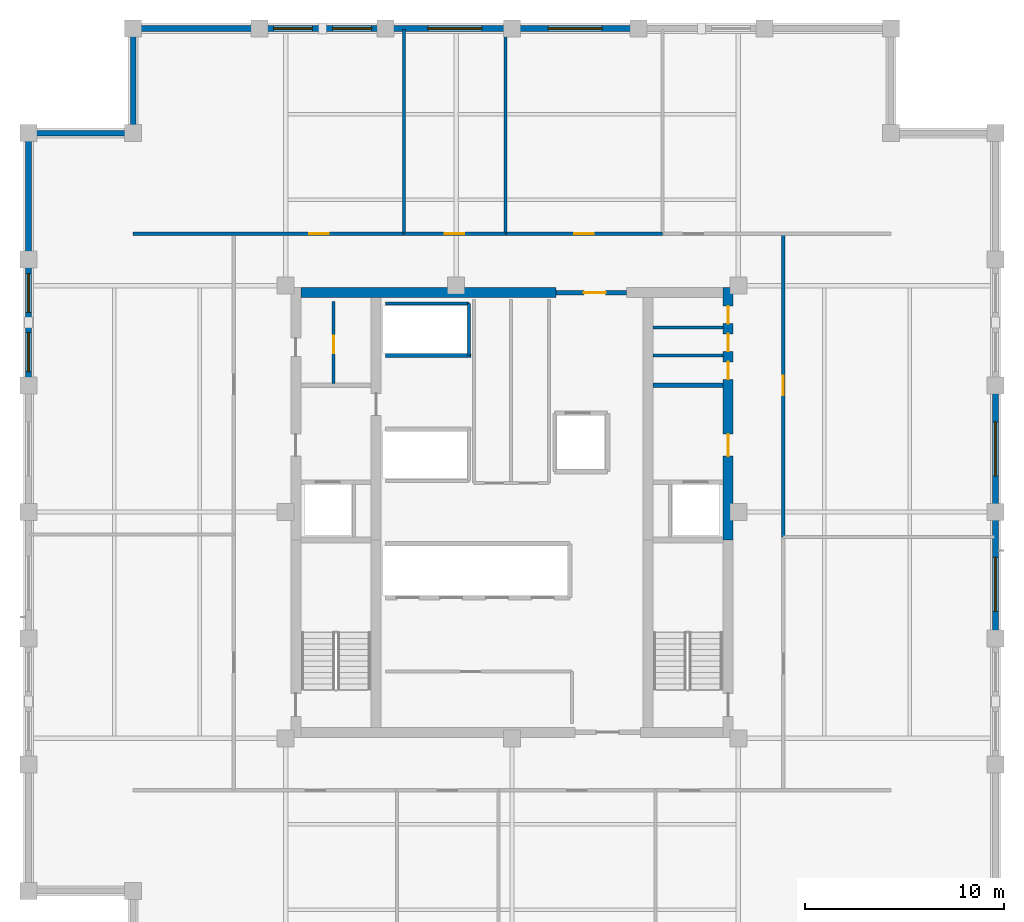
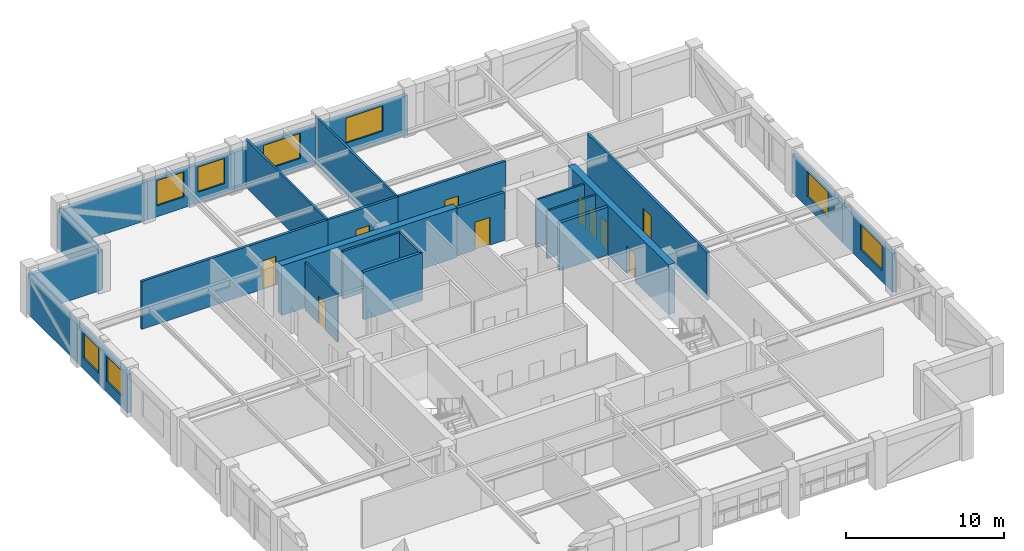
# One storey, part 11 of 13: 26 walls, 10 doors, 8 windows, 18 openings.
"""IFC4 building model written with IfcOpenShell, lengths in metres."""

from ifc_helpers import new_model, si_unit, direction, frame, frame_2d, origin, place, context, subcontext, project, spatial, rectangle, extrude, material, layer, layer_set, type_object, element, fill, save


model = new_model("IFC4")

# Units and contexts
model_context = context("Model", 3, precision=1e-05, world=origin(), true_north=direction((0.0, 1.0)))
body_context = subcontext(model_context, "Body", "Model", "MODEL_VIEW")
ifc_project = project(units=[si_unit("LENGTHUNIT", "METRE"), si_unit("AREAUNIT", "SQUARE_METRE"), si_unit("VOLUMEUNIT", "CUBIC_METRE"), si_unit("PLANEANGLEUNIT", "RADIAN"), si_unit("MASSUNIT", "GRAM", prefix="KILO")], contexts=[model_context])

# Site, building, storey
site_placement = place(None, origin())
site = spatial("IfcSite", under=ifc_project, at=site_placement, CompositionType="ELEMENT")
building_placement = place(site_placement, origin())
building = spatial("IfcBuilding", under=site, at=building_placement, Name="Nhamokura Convention Tower", CompositionType="ELEMENT")
storey_placement = place(building_placement, frame((0.0, 0.0, 206.14990234375)))
storey = spatial("IfcBuildingStorey", under=building, at=storey_placement, Name="L50", CompositionType="ELEMENT", Elevation=206.14990234375)

# Wall, opening, door
ifc_material_1 = material(Name="Moisture-resistant tile-backer partition", Category="masonry")
ifc_layer_1 = layer(ifc_material_1, 0.139892578125)
ifc_layer_set_1 = layer_set([ifc_layer_1], Name="BathroomWetWall_140")
wall_type_1 = type_object("IfcWallType", Name="BathroomWetWall_140", PredefinedType="STANDARD", material=ifc_layer_set_1)
wall_1_placement = place(storey_placement, frame((23.050048828125, 38.449951171875, 0.0), z_axis=(0.0, 0.0, 1.0), x_axis=(0.0, 1.0, 0.0)))
wall_1 = element("IfcWall", 1, at=wall_1_placement, inside=storey, type_object=wall_type_1, Name="L50 Wall INT-L50-CWNWV", PredefinedType="STANDARD", context=body_context, shape_type="SweptSolid", body=[
    extrude(rectangle(XDim=4.10009765625, YDim=0.139892578125, at=frame_2d((2.050048828125, 0.0))), origin(), (0.0, 0.0, 1.0), 3.68505859375),
])
opening_1_placement = place(wall_1_placement, frame((1.5, 0.0, 0.0)))
opening_1 = element("IfcOpeningElement", 2, at=opening_1_placement, cuts=wall_1, Name="Opening D-11", PredefinedType="OPENING", context=body_context, shape_type="SweptSolid", body=[
    extrude(rectangle(XDim=0.8798828125, YDim=2.10009765625, at=frame_2d((0.43994140625, 1.050048828125))), frame((0.0, 0.079833984375, 0.0), z_axis=(0.0, -1.0, 0.0), x_axis=(1.0, 0.0, 0.0)), (0.0, 0.0, 1.0), 0.159912109375),
])
ifc_material_2 = material(Name="Solid oak hardwood", Category="wood")
door_type_1 = type_object("IfcDoorType", Name="BathroomDoor_880", OperationType="NOTDEFINED", PredefinedType="DOOR", material=ifc_material_2)
door_1_placement = place(opening_1_placement, origin())
door_1 = element("IfcDoor", 3, at=door_1_placement, inside=storey, type_object=door_type_1, Name="L50 Inner Store Door", OperationType="SINGLE_SWING_LEFT", OverallHeight=2.10009765625, OverallWidth=0.8798828125, PredefinedType="DOOR", context=body_context, shape_type="SweptSolid", body=[
    extrude(rectangle(XDim=0.8798828125, YDim=2.10009765625, at=frame_2d((0.43994140625, 1.050048828125))), frame((0.0, 0.02490234375, 0.0), z_axis=(0.0, -1.0, 0.0), x_axis=(1.0, 0.0, 0.0)), (0.0, 0.0, 1.0), 0.050048828125),
])
fill(opening_1, door_1)

# Walls
for number, where, z_axis, x_axis, name in (
    (4, (39.06005859375, 39.85009765625, 0.0), (0.0, 0.0, 1.0), (1.0, 0.0, 0.0), "L50 Wall INT-L50-CWNE1"),
    (5, (39.06005859375, 41.25, 0.0), (0.0, 0.0, 1.0), (1.0, 0.0, 0.0), "L50 Wall INT-L50-CWNE2"),
):
    element("IfcWall", number, at=place(storey_placement, frame(where, z_axis=z_axis, x_axis=x_axis)), inside=storey, type_object=wall_type_1, Name=name, PredefinedType="STANDARD", context=body_context, shape_type="SweptSolid", body=[
        extrude(rectangle(XDim=3.530029296875, YDim=0.139892578125, at=frame_2d((1.76513671875, 0.0))), origin(), (0.0, 0.0, 1.0), 3.68505859375),
    ])
ifc_material_3 = material(Name="Bronze-pigmented precast concrete C45/55", Category="concrete")
ifc_layer_2 = layer(ifc_material_3, 0.280029296875)
ifc_layer_set_2 = layer_set([ifc_layer_2], Name="BronzePrecastSpandrel_280")
wall_type_2 = type_object("IfcWallType", Name="BronzePrecastSpandrel_280", PredefinedType="USERDEFINED", material=ifc_layer_set_2)
wall_2_placement = place(storey_placement, frame((13.0, 56.25, 0.0), z_axis=(0.0, 0.0, 1.0), x_axis=(1.0, 0.0, 0.0)))
element("IfcWall", 6, at=wall_2_placement, inside=storey, type_object=wall_type_2, Name="L50 Braced-Bay Precast Wall NORTH 0", ObjectType="SPANDREL_WALL", PredefinedType="USERDEFINED", context=body_context, shape_type="SweptSolid", body=[
    extrude(rectangle(XDim=6.333251953125, YDim=0.280029296875, at=frame_2d((3.16650390625, 0.0))), origin(), (0.0, 0.0, 1.0), 2.985107421875),
])

# Wall, openings, windows
wall_3_placement = place(storey_placement, frame((19.333251953125, 56.25, 0.0), z_axis=(0.0, 0.0, 1.0), x_axis=(1.0, 0.0, 0.0)))
wall_3 = element("IfcWall", 7, at=wall_3_placement, inside=storey, type_object=wall_type_2, Name="L50 Masonry-Frame Wall NORTH 1", ObjectType="SPANDREL_WALL", PredefinedType="USERDEFINED", context=body_context, shape_type="SweptSolid", body=[
    extrude(rectangle(XDim=6.33349609375, YDim=0.280029296875, at=frame_2d((3.166748046875, 0.0))), origin(), (0.0, 0.0, 1.0), 2.985107421875),
])
opening_2_placement = place(wall_3_placement, frame((0.708251953125, 0.0, 0.85009765625)))
opening_2 = element("IfcOpeningElement", 8, at=opening_2_placement, cuts=wall_3, Name="Opening W-08", PredefinedType="OPENING", context=body_context, shape_type="SweptSolid", body=[
    extrude(rectangle(XDim=1.949951171875, YDim=1.93505859375, at=frame_2d((0.97509765625, 0.967529296875))), frame((0.0, 0.14990234375, 0.0), z_axis=(0.0, -1.0, 0.0), x_axis=(1.0, 0.0, 0.0)), (0.0, 0.0, 1.0), 0.300048828125),
])
opening_3_placement = place(wall_3_placement, frame((3.675048828125, 0.0, 0.85009765625)))
opening_3 = element("IfcOpeningElement", 9, at=opening_3_placement, cuts=wall_3, Name="Opening W-08", PredefinedType="OPENING", context=body_context, shape_type="SweptSolid", body=[
    extrude(rectangle(XDim=1.949951171875, YDim=1.93505859375, at=frame_2d((0.97509765625, 0.967529296875))), frame((0.0, 0.14990234375, 0.0), z_axis=(0.0, -1.0, 0.0), x_axis=(1.0, 0.0, 0.0)), (0.0, 0.0, 1.0), 0.300048828125),
])
ifc_material_4 = material(Name="Solar-control bronze low-E double glass", Category="glass")
window_type_1 = type_object("IfcWindowType", Name="OfficeModuleWindow_Z3_1950", PartitioningType="SINGLE_PANEL", PredefinedType="WINDOW", material=ifc_material_4)
window_1_placement = place(opening_2_placement, origin())
window_1 = element("IfcWindow", 10, at=window_1_placement, inside=storey, type_object=window_type_1, Name="L50 Facade Window NORTH 1-1", OverallHeight=1.93505859375, OverallWidth=1.949951171875, PartitioningType="SINGLE_PANEL", PredefinedType="WINDOW", context=body_context, shape_type="SweptSolid", body=[
    extrude(rectangle(XDim=1.949951171875, YDim=1.93505859375, at=frame_2d((0.97509765625, 0.967529296875))), frame((0.0, 0.030029296875, 0.0), z_axis=(0.0, -1.0, 0.0), x_axis=(1.0, 0.0, 0.0)), (0.0, 0.0, 1.0), 0.06005859375),
])
fill(opening_2, window_1)
window_2_placement = place(opening_3_placement, origin())
window_2 = element("IfcWindow", 11, at=window_2_placement, inside=storey, type_object=window_type_1, Name="L50 Facade Window NORTH 1-2", OverallHeight=1.93505859375, OverallWidth=1.949951171875, PartitioningType="SINGLE_PANEL", PredefinedType="WINDOW", context=body_context, shape_type="SweptSolid", body=[
    extrude(rectangle(XDim=1.949951171875, YDim=1.93505859375, at=frame_2d((0.97509765625, 0.967529296875))), frame((0.0, 0.030029296875, 0.0), z_axis=(0.0, -1.0, 0.0), x_axis=(1.0, 0.0, 0.0)), (0.0, 0.0, 1.0), 0.06005859375),
])
fill(opening_3, window_2)

# Wall, opening, window
wall_4_placement = place(storey_placement, frame((25.666748046875, 56.25, 0.0), z_axis=(0.0, 0.0, 1.0), x_axis=(1.0, 0.0, 0.0)))
wall_4 = element("IfcWall", 12, at=wall_4_placement, inside=storey, type_object=wall_type_2, Name="L50 Masonry-Frame Wall NORTH 2", ObjectType="SPANDREL_WALL", PredefinedType="USERDEFINED", context=body_context, shape_type="SweptSolid", body=[
    extrude(rectangle(XDim=6.333251953125, YDim=0.280029296875, at=frame_2d((3.16650390625, 0.0))), origin(), (0.0, 0.0, 1.0), 2.985107421875),
])
opening_4_placement = place(wall_4_placement, frame((2.11669921875, 0.0, 0.85009765625)))
opening_4 = element("IfcOpeningElement", 13, at=opening_4_placement, cuts=wall_4, Name="Opening W-07", PredefinedType="OPENING", context=body_context, shape_type="SweptSolid", body=[
    extrude(rectangle(XDim=2.699951171875, YDim=1.93505859375, at=frame_2d((1.35009765625, 0.967529296875))), frame((0.0, 0.14990234375, 0.0), z_axis=(0.0, -1.0, 0.0), x_axis=(1.0, 0.0, 0.0)), (0.0, 0.0, 1.0), 0.300048828125),
])
ifc_material_5 = material(Name="Solar-control bronze low-E double glass", Category="glass")
window_type_2 = type_object("IfcWindowType", Name="OfficeModuleWindow_Z3_2700", PartitioningType="DOUBLE_PANEL_VERTICAL", PredefinedType="WINDOW", material=ifc_material_5)
window_3_placement = place(opening_4_placement, origin())
window_3 = element("IfcWindow", 14, at=window_3_placement, inside=storey, type_object=window_type_2, Name="L50 Facade Window NORTH 2", OverallHeight=1.93505859375, OverallWidth=2.699951171875, PartitioningType="SINGLE_PANEL", PredefinedType="WINDOW", context=body_context, shape_type="SweptSolid", body=[
    extrude(rectangle(XDim=2.699951171875, YDim=1.93505859375, at=frame_2d((1.35009765625, 0.967529296875))), frame((0.0, 0.030029296875, 0.0), z_axis=(0.0, -1.0, 0.0), x_axis=(1.0, 0.0, 0.0)), (0.0, 0.0, 1.0), 0.06005859375),
])
fill(opening_4, window_3)

wall_5_placement = place(storey_placement, frame((32.0, 56.25, 0.0), z_axis=(0.0, 0.0, 1.0), x_axis=(1.0, 0.0, 0.0)))
wall_5 = element("IfcWall", 15, at=wall_5_placement, inside=storey, type_object=wall_type_2, Name="L50 Masonry-Frame Wall NORTH 3", ObjectType="SPANDREL_WALL", PredefinedType="USERDEFINED", context=body_context, shape_type="SweptSolid", body=[
    extrude(rectangle(XDim=6.333251953125, YDim=0.280029296875, at=frame_2d((3.16650390625, 0.0))), origin(), (0.0, 0.0, 1.0), 2.985107421875),
])
opening_5_placement = place(wall_5_placement, frame((1.816650390625, 0.0, 0.85009765625)))
opening_5 = element("IfcOpeningElement", 16, at=opening_5_placement, cuts=wall_5, Name="Opening W-07", PredefinedType="OPENING", context=body_context, shape_type="SweptSolid", body=[
    extrude(rectangle(XDim=2.699951171875, YDim=1.93505859375, at=frame_2d((1.35009765625, 0.967529296875))), frame((0.0, 0.14990234375, 0.0), z_axis=(0.0, -1.0, 0.0), x_axis=(1.0, 0.0, 0.0)), (0.0, 0.0, 1.0), 0.300048828125),
])
window_4_placement = place(opening_5_placement, origin())
window_4 = element("IfcWindow", 17, at=window_4_placement, inside=storey, type_object=window_type_2, Name="L50 Facade Window NORTH 3", OverallHeight=1.93505859375, OverallWidth=2.699951171875, PartitioningType="SINGLE_PANEL", PredefinedType="WINDOW", context=body_context, shape_type="SweptSolid", body=[
    extrude(rectangle(XDim=2.699951171875, YDim=1.93505859375, at=frame_2d((1.35009765625, 0.967529296875))), frame((0.0, 0.030029296875, 0.0), z_axis=(0.0, -1.0, 0.0), x_axis=(1.0, 0.0, 0.0)), (0.0, 0.0, 1.0), 0.06005859375),
])
fill(opening_5, window_4)

# Wall, openings, windows
wall_6_placement = place(storey_placement, frame((7.75, 38.333251953125, 0.0), z_axis=(0.0, 0.0, 1.0), x_axis=(0.0, 1.0, 0.0)))
wall_6 = element("IfcWall", 18, at=wall_6_placement, inside=storey, type_object=wall_type_2, Name="L50 Masonry-Frame Wall WEST 4", ObjectType="SPANDREL_WALL", PredefinedType="USERDEFINED", context=body_context, shape_type="SweptSolid", body=[
    extrude(rectangle(XDim=6.33349609375, YDim=0.280029296875, at=frame_2d((3.166748046875, 0.0))), origin(), (0.0, 0.0, 1.0), 2.985107421875),
])
opening_6_placement = place(wall_6_placement, frame((0.708251953125, 0.0, 0.85009765625)))
opening_6 = element("IfcOpeningElement", 19, at=opening_6_placement, cuts=wall_6, Name="Opening W-08", PredefinedType="OPENING", context=body_context, shape_type="SweptSolid", body=[
    extrude(rectangle(XDim=1.949951171875, YDim=1.93505859375, at=frame_2d((0.97509765625, 0.967529296875))), frame((0.0, 0.14990234375, 0.0), z_axis=(0.0, -1.0, 0.0), x_axis=(1.0, 0.0, 0.0)), (0.0, 0.0, 1.0), 0.300048828125),
])
opening_7_placement = place(wall_6_placement, frame((3.675048828125, 0.0, 0.85009765625)))
opening_7 = element("IfcOpeningElement", 20, at=opening_7_placement, cuts=wall_6, Name="Opening W-08", PredefinedType="OPENING", context=body_context, shape_type="SweptSolid", body=[
    extrude(rectangle(XDim=1.949951171875, YDim=1.93505859375, at=frame_2d((0.97509765625, 0.967529296875))), frame((0.0, 0.14990234375, 0.0), z_axis=(0.0, -1.0, 0.0), x_axis=(1.0, 0.0, 0.0)), (0.0, 0.0, 1.0), 0.300048828125),
])
window_5_placement = place(opening_6_placement, origin())
window_5 = element("IfcWindow", 21, at=window_5_placement, inside=storey, type_object=window_type_1, Name="L50 Facade Window WEST 4-1", OverallHeight=1.93505859375, OverallWidth=1.949951171875, PartitioningType="SINGLE_PANEL", PredefinedType="WINDOW", context=body_context, shape_type="SweptSolid", body=[
    extrude(rectangle(XDim=1.949951171875, YDim=1.93505859375, at=frame_2d((0.97509765625, 0.967529296875))), frame((0.0, 0.030029296875, 0.0), z_axis=(0.0, -1.0, 0.0), x_axis=(1.0, 0.0, 0.0)), (0.0, 0.0, 1.0), 0.06005859375),
])
fill(opening_6, window_5)
window_6_placement = place(opening_7_placement, origin())
window_6 = element("IfcWindow", 22, at=window_6_placement, inside=storey, type_object=window_type_1, Name="L50 Facade Window WEST 4-2", OverallHeight=1.93505859375, OverallWidth=1.949951171875, PartitioningType="SINGLE_PANEL", PredefinedType="WINDOW", context=body_context, shape_type="SweptSolid", body=[
    extrude(rectangle(XDim=1.949951171875, YDim=1.93505859375, at=frame_2d((0.97509765625, 0.967529296875))), frame((0.0, 0.030029296875, 0.0), z_axis=(0.0, -1.0, 0.0), x_axis=(1.0, 0.0, 0.0)), (0.0, 0.0, 1.0), 0.06005859375),
])
fill(opening_7, window_6)

# Wall
wall_7_placement = place(storey_placement, frame((7.75, 44.666748046875, 0.0), z_axis=(0.0, 0.0, 1.0), x_axis=(0.0, 1.0, 0.0)))
element("IfcWall", 23, at=wall_7_placement, inside=storey, type_object=wall_type_2, Name="L50 Braced-Bay Precast Wall WEST 5", ObjectType="SPANDREL_WALL", PredefinedType="USERDEFINED", context=body_context, shape_type="SweptSolid", body=[
    extrude(rectangle(XDim=6.333251953125, YDim=0.280029296875, at=frame_2d((3.16650390625, 0.0))), origin(), (0.0, 0.0, 1.0), 2.985107421875),
])

# Wall, opening, window
wall_8_placement = place(storey_placement, frame((56.25, 32.0, 0.0), z_axis=(0.0, 0.0, 1.0), x_axis=(0.0, -1.0, 0.0)))
wall_8 = element("IfcWall", 24, at=wall_8_placement, inside=storey, type_object=wall_type_2, Name="L50 Masonry-Frame Wall EAST 2", ObjectType="SPANDREL_WALL", PredefinedType="USERDEFINED", context=body_context, shape_type="SweptSolid", body=[
    extrude(rectangle(XDim=6.333251953125, YDim=0.280029296875, at=frame_2d((3.16650390625, 0.0))), origin(), (0.0, 0.0, 1.0), 2.985107421875),
])
opening_8_placement = place(wall_8_placement, frame((2.279296875, 0.0, 0.85009765625)))
opening_8 = element("IfcOpeningElement", 25, at=opening_8_placement, cuts=wall_8, Name="Opening W-07", PredefinedType="OPENING", context=body_context, shape_type="SweptSolid", body=[
    extrude(rectangle(XDim=2.699951171875, YDim=1.93505859375, at=frame_2d((1.35009765625, 0.967529296875))), frame((0.0, 0.14990234375, 0.0), z_axis=(0.0, -1.0, 0.0), x_axis=(1.0, 0.0, 0.0)), (0.0, 0.0, 1.0), 0.300048828125),
])
window_7_placement = place(opening_8_placement, origin())
window_7 = element("IfcWindow", 26, at=window_7_placement, inside=storey, type_object=window_type_2, Name="L50 Facade Window EAST 2-2", OverallHeight=1.93505859375, OverallWidth=2.699951171875, PartitioningType="SINGLE_PANEL", PredefinedType="WINDOW", context=body_context, shape_type="SweptSolid", body=[
    extrude(rectangle(XDim=2.699951171875, YDim=1.93505859375, at=frame_2d((1.35009765625, 0.967529296875))), frame((0.0, 0.030029296875, 0.0), z_axis=(0.0, -1.0, 0.0), x_axis=(1.0, 0.0, 0.0)), (0.0, 0.0, 1.0), 0.06005859375),
])
fill(opening_8, window_7)

wall_9_placement = place(storey_placement, frame((56.25, 38.333251953125, 0.0), z_axis=(0.0, 0.0, 1.0), x_axis=(0.0, -1.0, 0.0)))
wall_9 = element("IfcWall", 27, at=wall_9_placement, inside=storey, type_object=wall_type_2, Name="L50 Masonry-Frame Wall EAST 3", ObjectType="SPANDREL_WALL", PredefinedType="USERDEFINED", context=body_context, shape_type="SweptSolid", body=[
    extrude(rectangle(XDim=6.333251953125, YDim=0.280029296875, at=frame_2d((3.16650390625, 0.0))), origin(), (0.0, 0.0, 1.0), 2.985107421875),
])
opening_9_placement = place(wall_9_placement, frame((1.816650390625, 0.0, 0.85009765625)))
opening_9 = element("IfcOpeningElement", 28, at=opening_9_placement, cuts=wall_9, Name="Opening W-07", PredefinedType="OPENING", context=body_context, shape_type="SweptSolid", body=[
    extrude(rectangle(XDim=2.699951171875, YDim=1.93505859375, at=frame_2d((1.35009765625, 0.967529296875))), frame((0.0, 0.14990234375, 0.0), z_axis=(0.0, -1.0, 0.0), x_axis=(1.0, 0.0, 0.0)), (0.0, 0.0, 1.0), 0.300048828125),
])
window_8_placement = place(opening_9_placement, origin())
window_8 = element("IfcWindow", 29, at=window_8_placement, inside=storey, type_object=window_type_2, Name="L50 Facade Window EAST 3", OverallHeight=1.93505859375, OverallWidth=2.699951171875, PartitioningType="SINGLE_PANEL", PredefinedType="WINDOW", context=body_context, shape_type="SweptSolid", body=[
    extrude(rectangle(XDim=2.699951171875, YDim=1.93505859375, at=frame_2d((1.35009765625, 0.967529296875))), frame((0.0, 0.030029296875, 0.0), z_axis=(0.0, -1.0, 0.0), x_axis=(1.0, 0.0, 0.0)), (0.0, 0.0, 1.0), 0.06005859375),
])
fill(opening_9, window_8)

# Walls
for number, where, z_axis, x_axis, name in (
    (30, (13.0, 51.0, 0.0), (0.0, 0.0, 1.0), (0.0, 1.0, 0.0), "L50 Notched Corner Wall NW1"),
    (31, (7.75, 51.0, 0.0), (0.0, 0.0, 1.0), (1.0, 0.0, 0.0), "L50 Notched Corner Wall NW2"),
):
    element("IfcWall", number, at=place(storey_placement, frame(where, z_axis=z_axis, x_axis=x_axis)), inside=storey, type_object=wall_type_2, Name=name, ObjectType="SPANDREL_WALL", PredefinedType="USERDEFINED", context=body_context, shape_type="SweptSolid", body=[
        extrude(rectangle(XDim=5.25, YDim=0.280029296875, at=frame_2d((2.625, 0.0))), origin(), (0.0, 0.0, 1.0), 2.985107421875),
    ])

# Wall, openings, doors
ifc_material_6 = material(Name="Concrete C60/75", Category="concrete")
ifc_layer_3 = layer(ifc_material_6, 0.5)
ifc_layer_set_3 = layer_set([ifc_layer_3], Name="CoreShearWall_500")
wall_type_3 = type_object("IfcWallType", Name="CoreShearWall_500", PredefinedType="SHEAR", material=ifc_layer_set_3)
wall_10_placement = place(storey_placement, frame((42.840087890625, 30.60009765625, 0.0), z_axis=(0.0, 0.0, 1.0), x_axis=(0.0, 1.0, 0.0)))
wall_10 = element("IfcWall", 32, at=wall_10_placement, inside=storey, type_object=wall_type_3, Name="L50 Core Shear Wall CW-EN", PredefinedType="SHEAR", context=body_context, shape_type="SweptSolid", body=[
    extrude(rectangle(XDim=12.64990234375, YDim=0.5, at=frame_2d((6.324951171875, 0.0))), origin(), (0.0, 0.0, 1.0), 3.85009765625),
])
opening_10_placement = place(wall_10_placement, frame((4.199951171875, 0.0, 0.0)))
opening_10 = element("IfcOpeningElement", 33, at=opening_10_placement, cuts=wall_10, Name="Opening D-05", PredefinedType="OPENING", context=body_context, shape_type="SweptSolid", body=[
    extrude(rectangle(XDim=1.10009765625, YDim=2.14990234375, at=frame_2d((0.550048828125, 1.074951171875))), frame((0.0, 0.260009765625, 0.0), z_axis=(0.0, -1.0, 0.0), x_axis=(1.0, 0.0, 0.0)), (0.0, 0.0, 1.0), 0.52001953125),
])
opening_11_placement = place(wall_10_placement, frame((8.050048828125, 0.0, 0.0)))
opening_11 = element("IfcOpeningElement", 34, at=opening_11_placement, cuts=wall_10, Name="Opening D-11", PredefinedType="OPENING", context=body_context, shape_type="SweptSolid", body=[
    extrude(rectangle(XDim=0.8798828125, YDim=2.10009765625, at=frame_2d((0.43994140625, 1.050048828125))), frame((0.0, 0.260009765625, 0.0), z_axis=(0.0, -1.0, 0.0), x_axis=(1.0, 0.0, 0.0)), (0.0, 0.0, 1.0), 0.52001953125),
])
opening_12_placement = place(wall_10_placement, frame((9.449951171875, 0.0, 0.0)))
opening_12 = element("IfcOpeningElement", 35, at=opening_12_placement, cuts=wall_10, Name="Opening D-11", PredefinedType="OPENING", context=body_context, shape_type="SweptSolid", body=[
    extrude(rectangle(XDim=0.8798828125, YDim=2.10009765625, at=frame_2d((0.43994140625, 1.050048828125))), frame((0.0, 0.260009765625, 0.0), z_axis=(0.0, -1.0, 0.0), x_axis=(1.0, 0.0, 0.0)), (0.0, 0.0, 1.0), 0.52001953125),
])
opening_13_placement = place(wall_10_placement, frame((10.85009765625, 0.0, 0.0)))
opening_13 = element("IfcOpeningElement", 36, at=opening_13_placement, cuts=wall_10, Name="Opening D-11", PredefinedType="OPENING", context=body_context, shape_type="SweptSolid", body=[
    extrude(rectangle(XDim=0.8798828125, YDim=2.10009765625, at=frame_2d((0.43994140625, 1.050048828125))), frame((0.0, 0.260009765625, 0.0), z_axis=(0.0, -1.0, 0.0), x_axis=(1.0, 0.0, 0.0)), (0.0, 0.0, 1.0), 0.52001953125),
])
door_2_placement = place(opening_11_placement, origin())
door_2 = element("IfcDoor", 37, at=door_2_placement, inside=storey, type_object=door_type_1, Name="L50 Core Door INT-L50-D-MWC", OperationType="SINGLE_SWING_LEFT", OverallHeight=2.10009765625, OverallWidth=0.8798828125, PredefinedType="DOOR", context=body_context, shape_type="SweptSolid", body=[
    extrude(rectangle(XDim=0.8798828125, YDim=2.10009765625, at=frame_2d((0.43994140625, 1.050048828125))), frame((0.0, 0.02490234375, 0.0), z_axis=(0.0, -1.0, 0.0), x_axis=(1.0, 0.0, 0.0)), (0.0, 0.0, 1.0), 0.050048828125),
])
fill(opening_11, door_2)
door_3_placement = place(opening_12_placement, origin())
door_3 = element("IfcDoor", 38, at=door_3_placement, inside=storey, type_object=door_type_1, Name="L50 Core Door INT-L50-D-FWC", OperationType="SINGLE_SWING_RIGHT", OverallHeight=2.10009765625, OverallWidth=0.8798828125, PredefinedType="DOOR", context=body_context, shape_type="SweptSolid", body=[
    extrude(rectangle(XDim=0.8798828125, YDim=2.10009765625, at=frame_2d((0.43994140625, 1.050048828125))), frame((0.0, 0.02490234375, 0.0), z_axis=(0.0, -1.0, 0.0), x_axis=(1.0, 0.0, 0.0)), (0.0, 0.0, 1.0), 0.050048828125),
])
fill(opening_12, door_3)
door_4_placement = place(opening_13_placement, origin())
door_4 = element("IfcDoor", 39, at=door_4_placement, inside=storey, type_object=door_type_1, Name="L50 Core Door INT-L50-D-ARC", OperationType="SINGLE_SWING_LEFT", OverallHeight=2.10009765625, OverallWidth=0.8798828125, PredefinedType="DOOR", context=body_context, shape_type="SweptSolid", body=[
    extrude(rectangle(XDim=0.8798828125, YDim=2.10009765625, at=frame_2d((0.43994140625, 1.050048828125))), frame((0.0, 0.02490234375, 0.0), z_axis=(0.0, -1.0, 0.0), x_axis=(1.0, 0.0, 0.0)), (0.0, 0.0, 1.0), 0.050048828125),
])
fill(opening_13, door_4)
ifc_material_7 = material(Name="Fire-rated steel door", Category="steel")
door_type_2 = type_object("IfcDoorType", Name="FireLobbyDoor_1100", OperationType="NOTDEFINED", PredefinedType="DOOR", material=ifc_material_7)
door_5_placement = place(opening_10_placement, origin())
door_5 = element("IfcDoor", 40, at=door_5_placement, inside=storey, type_object=door_type_2, Name="L50 Core Door INT-L50-D-FFLE", OperationType="SINGLE_SWING_LEFT", OverallHeight=2.14990234375, OverallWidth=1.10009765625, PredefinedType="DOOR", context=body_context, shape_type="SweptSolid", body=[
    extrude(rectangle(XDim=1.10009765625, YDim=2.14990234375, at=frame_2d((0.550048828125, 1.074951171875))), frame((0.0, 0.02490234375, 0.0), z_axis=(0.0, -1.0, 0.0), x_axis=(1.0, 0.0, 0.0)), (0.0, 0.0, 1.0), 0.050048828125),
])
fill(opening_10, door_5)

# Wall
wall_11_placement = place(storey_placement, frame((21.409912109375, 43.0, 0.0), z_axis=(0.0, 0.0, 1.0), x_axis=(1.0, 0.0, 0.0)))
element("IfcWall", 41, at=wall_11_placement, inside=storey, type_object=wall_type_3, Name="L50 Core Shear Wall CW-N1", PredefinedType="SHEAR", context=body_context, shape_type="SweptSolid", body=[
    extrude(rectangle(XDim=12.7900390625, YDim=0.5, at=frame_2d((6.39501953125, 0.0))), origin(), (0.0, 0.0, 1.0), 3.85009765625),
])

# Wall, opening, door
ifc_material_8 = material(Name="Fire-rated gypsum and masonry partition", Category="masonry")
ifc_layer_4 = layer(ifc_material_8, 0.179931640625)
ifc_layer_set_4 = layer_set([ifc_layer_4], Name="CorridorRatedWall_180")
wall_type_4 = type_object("IfcWallType", Name="CorridorRatedWall_180", PredefinedType="STANDARD", material=ifc_layer_set_4)
wall_12_placement = place(storey_placement, frame((13.0, 45.949951171875, 0.0), z_axis=(0.0, 0.0, 1.0), x_axis=(1.0, 0.0, 0.0)))
wall_12 = element("IfcWall", 42, at=wall_12_placement, inside=storey, type_object=wall_type_4, Name="L50 Wall INT-L50-CW-N00", PredefinedType="STANDARD", context=body_context, shape_type="SweptSolid", body=[
    extrude(rectangle(XDim=13.591796875, YDim=0.179931640625, at=frame_2d((6.7958984375, 0.0))), origin(), (0.0, 0.0, 1.0), 3.68505859375),
])
opening_14_placement = place(wall_12_placement, frame((8.82080078125, 0.0, 0.0)))
opening_14 = element("IfcOpeningElement", 43, at=opening_14_placement, cuts=wall_12, Name="Opening D-08", PredefinedType="OPENING", context=body_context, shape_type="SweptSolid", body=[
    extrude(rectangle(XDim=0.97998046875, YDim=2.199951171875, at=frame_2d((0.489990234375, 1.10009765625))), frame((0.0, 0.099853515625, 0.0), z_axis=(0.0, -1.0, 0.0), x_axis=(1.0, 0.0, 0.0)), (0.0, 0.0, 1.0), 0.199951171875),
])
ifc_material_9 = material(Name="Solid oak hardwood", Category="wood")
door_type_3 = type_object("IfcDoorType", Name="OfficeEntryDoor_980", OperationType="NOTDEFINED", PredefinedType="DOOR", material=ifc_material_9)
door_6_placement = place(opening_14_placement, origin())
door_6 = element("IfcDoor", 44, at=door_6_placement, inside=storey, type_object=door_type_3, Name="L50 Law Library N01 Door", OperationType="SINGLE_SWING_LEFT", OverallHeight=2.199951171875, OverallWidth=0.97998046875, PredefinedType="DOOR", context=body_context, shape_type="SweptSolid", body=[
    extrude(rectangle(XDim=0.97998046875, YDim=2.199951171875, at=frame_2d((0.489990234375, 1.10009765625))), frame((0.0, 0.02490234375, 0.0), z_axis=(0.0, -1.0, 0.0), x_axis=(1.0, 0.0, 0.0)), (0.0, 0.0, 1.0), 0.050048828125),
])
fill(opening_14, door_6)

wall_13_placement = place(storey_placement, frame((26.591796875, 45.949951171875, 0.0), z_axis=(0.0, 0.0, 1.0), x_axis=(1.0, 0.0, 0.0)))
wall_13 = element("IfcWall", 45, at=wall_13_placement, inside=storey, type_object=wall_type_4, Name="L50 Wall INT-L50-CW-N01", PredefinedType="STANDARD", context=body_context, shape_type="SweptSolid", body=[
    extrude(rectangle(XDim=5.083251953125, YDim=0.179931640625, at=frame_2d((2.54150390625, 0.0))), origin(), (0.0, 0.0, 1.0), 3.68505859375),
])
opening_15_placement = place(wall_13_placement, frame((2.041748046875, 0.0, 0.0)))
opening_15 = element("IfcOpeningElement", 46, at=opening_15_placement, cuts=wall_13, Name="Opening D-08", PredefinedType="OPENING", context=body_context, shape_type="SweptSolid", body=[
    extrude(rectangle(XDim=0.97998046875, YDim=2.199951171875, at=frame_2d((0.489990234375, 1.10009765625))), frame((0.0, 0.099853515625, 0.0), z_axis=(0.0, -1.0, 0.0), x_axis=(1.0, 0.0, 0.0)), (0.0, 0.0, 1.0), 0.199951171875),
])
door_7_placement = place(opening_15_placement, origin())
door_7 = element("IfcDoor", 47, at=door_7_placement, inside=storey, type_object=door_type_3, Name="L50 Boardroom N02 Door", OperationType="SINGLE_SWING_RIGHT", OverallHeight=2.199951171875, OverallWidth=0.97998046875, PredefinedType="DOOR", context=body_context, shape_type="SweptSolid", body=[
    extrude(rectangle(XDim=0.97998046875, YDim=2.199951171875, at=frame_2d((0.489990234375, 1.10009765625))), frame((0.0, 0.02490234375, 0.0), z_axis=(0.0, -1.0, 0.0), x_axis=(1.0, 0.0, 0.0)), (0.0, 0.0, 1.0), 0.050048828125),
])
fill(opening_15, door_7)

wall_14_placement = place(storey_placement, frame((31.675048828125, 45.949951171875, 0.0), z_axis=(0.0, 0.0, 1.0), x_axis=(1.0, 0.0, 0.0)))
wall_14 = element("IfcWall", 48, at=wall_14_placement, inside=storey, type_object=wall_type_4, Name="L50 Wall INT-L50-CW-N02", PredefinedType="STANDARD", context=body_context, shape_type="SweptSolid", body=[
    extrude(rectangle(XDim=7.88330078125, YDim=0.179931640625, at=frame_2d((3.941650390625, 0.0))), origin(), (0.0, 0.0, 1.0), 3.68505859375),
])
opening_16_placement = place(wall_14_placement, frame((3.441650390625, 0.0, 0.0)))
opening_16 = element("IfcOpeningElement", 49, at=opening_16_placement, cuts=wall_14, Name="Opening D-08", PredefinedType="OPENING", context=body_context, shape_type="SweptSolid", body=[
    extrude(rectangle(XDim=0.97998046875, YDim=2.199951171875, at=frame_2d((0.489990234375, 1.10009765625))), frame((0.0, 0.099853515625, 0.0), z_axis=(0.0, -1.0, 0.0), x_axis=(1.0, 0.0, 0.0)), (0.0, 0.0, 1.0), 0.199951171875),
])
door_8_placement = place(opening_16_placement, origin())
door_8 = element("IfcDoor", 50, at=door_8_placement, inside=storey, type_object=door_type_3, Name="L50 Private Office N03 Door", OperationType="SINGLE_SWING_LEFT", OverallHeight=2.199951171875, OverallWidth=0.97998046875, PredefinedType="DOOR", context=body_context, shape_type="SweptSolid", body=[
    extrude(rectangle(XDim=0.97998046875, YDim=2.199951171875, at=frame_2d((0.489990234375, 1.10009765625))), frame((0.0, 0.02490234375, 0.0), z_axis=(0.0, -1.0, 0.0), x_axis=(1.0, 0.0, 0.0)), (0.0, 0.0, 1.0), 0.050048828125),
])
fill(opening_16, door_8)

wall_15_placement = place(storey_placement, frame((45.60009765625, 30.75, 0.0), z_axis=(0.0, 0.0, 1.0), x_axis=(0.0, 1.0, 0.0)))
wall_15 = element("IfcWall", 51, at=wall_15_placement, inside=storey, type_object=wall_type_4, Name="L50 Wall INT-L50-CW-E01", PredefinedType="STANDARD", context=body_context, shape_type="SweptSolid", body=[
    extrude(rectangle(XDim=15.199951171875, YDim=0.179931640625, at=frame_2d((7.60009765625, 0.0))), origin(), (0.0, 0.0, 1.0), 3.68505859375),
])
opening_17_placement = place(wall_15_placement, frame((7.10009765625, 0.0, 0.0)))
opening_17 = element("IfcOpeningElement", 52, at=opening_17_placement, cuts=wall_15, Name="Opening D-08", PredefinedType="OPENING", context=body_context, shape_type="SweptSolid", body=[
    extrude(rectangle(XDim=0.97998046875, YDim=2.199951171875, at=frame_2d((0.489990234375, 1.10009765625))), frame((0.0, 0.099853515625, 0.0), z_axis=(0.0, -1.0, 0.0), x_axis=(1.0, 0.0, 0.0)), (0.0, 0.0, 1.0), 0.199951171875),
])
door_9_placement = place(opening_17_placement, origin())
door_9 = element("IfcDoor", 53, at=door_9_placement, inside=storey, type_object=door_type_3, Name="L50 Collaboration Lounge E02 Door", OperationType="SINGLE_SWING_RIGHT", OverallHeight=2.199951171875, OverallWidth=0.97998046875, PredefinedType="DOOR", context=body_context, shape_type="SweptSolid", body=[
    extrude(rectangle(XDim=0.97998046875, YDim=2.199951171875, at=frame_2d((0.489990234375, 1.10009765625))), frame((0.0, 0.02490234375, 0.0), z_axis=(0.0, -1.0, 0.0), x_axis=(1.0, 0.0, 0.0)), (0.0, 0.0, 1.0), 0.050048828125),
])
fill(opening_17, door_9)

# Walls
ifc_material_10 = material(Name="Autoclaved concrete blockwork", Category="masonry")
ifc_layer_5 = layer(ifc_material_10, 0.219970703125)
ifc_layer_set_5 = layer_set([ifc_layer_5], Name="FireLobbyWall_220")
wall_type_5 = type_object("IfcWallType", Name="FireLobbyWall_220", PredefinedType="STANDARD", material=ifc_layer_set_5)
wall_16_placement = place(storey_placement, frame((39.06005859375, 38.35009765625, 0.0), z_axis=(0.0, 0.0, 1.0), x_axis=(1.0, 0.0, 0.0)))
element("IfcWall", 54, at=wall_16_placement, inside=storey, type_object=wall_type_5, Name="L50 Wall INT-L50-FFE-N", PredefinedType="STANDARD", context=body_context, shape_type="SweptSolid", body=[
    extrude(rectangle(XDim=3.530029296875, YDim=0.219970703125, at=frame_2d((1.76513671875, 0.0))), origin(), (0.0, 0.0, 1.0), 3.68505859375),
])
wall_17_placement = place(storey_placement, frame((25.64990234375, 39.85009765625, 0.0), z_axis=(0.0, 0.0, 1.0), x_axis=(1.0, 0.0, 0.0)))
element("IfcWall", 55, at=wall_17_placement, inside=storey, type_object=wall_type_5, Name="L50 Wall INT-L50-B3N", PredefinedType="STANDARD", context=body_context, shape_type="SweptSolid", body=[
    extrude(rectangle(XDim=4.300048828125, YDim=0.219970703125, at=frame_2d((2.14990234375, 0.0))), origin(), (0.0, 0.0, 1.0), 3.68505859375),
])

# Wall, opening, door
wall_18_placement = place(storey_placement, frame((34.199951171875, 43.0, 0.0), z_axis=(0.0, 0.0, 1.0), x_axis=(1.0, 0.0, 0.0)))
wall_18 = element("IfcWall", 56, at=wall_18_placement, inside=storey, type_object=wall_type_5, Name="L50 Wall INT-L50-CPORT-N", PredefinedType="STANDARD", context=body_context, shape_type="SweptSolid", body=[
    extrude(rectangle(XDim=3.550048828125, YDim=0.219970703125, at=frame_2d((1.77490234375, 0.0))), origin(), (0.0, 0.0, 1.0), 3.68505859375),
])
opening_18_placement = place(wall_18_placement, frame((1.39990234375, 0.0, 0.0)))
opening_18 = element("IfcOpeningElement", 57, at=opening_18_placement, cuts=wall_18, Name="Opening D-05", PredefinedType="OPENING", context=body_context, shape_type="SweptSolid", body=[
    extrude(rectangle(XDim=1.10009765625, YDim=2.14990234375, at=frame_2d((0.550048828125, 1.074951171875))), frame((0.0, 0.119873046875, 0.0), z_axis=(0.0, -1.0, 0.0), x_axis=(1.0, 0.0, 0.0)), (0.0, 0.0, 1.0), 0.239990234375),
])
door_10_placement = place(opening_18_placement, origin())
door_10 = element("IfcDoor", 58, at=door_10_placement, inside=storey, type_object=door_type_2, Name="L50 North Core Lobby Portal Door", OperationType="SINGLE_SWING_RIGHT", OverallHeight=2.14990234375, OverallWidth=1.10009765625, PredefinedType="DOOR", context=body_context, shape_type="SweptSolid", body=[
    extrude(rectangle(XDim=1.10009765625, YDim=2.14990234375, at=frame_2d((0.550048828125, 1.074951171875))), frame((0.0, 0.02490234375, 0.0), z_axis=(0.0, -1.0, 0.0), x_axis=(1.0, 0.0, 0.0)), (0.0, 0.0, 1.0), 0.050048828125),
])
fill(opening_18, door_10)

# Walls
ifc_material_11 = material(Name="Acoustic gypsum stud partition", Category="masonry")
ifc_layer_6 = layer(ifc_material_11, 0.14990234375)
ifc_layer_set_6 = layer_set([ifc_layer_6], Name="InteriorPartition_150")
wall_type_6 = type_object("IfcWallType", Name="InteriorPartition_150", PredefinedType="STANDARD", material=ifc_layer_set_6)
wall_19_placement = place(storey_placement, frame((25.64990234375, 42.449951171875, 0.0), z_axis=(0.0, 0.0, 1.0), x_axis=(1.0, 0.0, 0.0)))
element("IfcWall", 59, at=wall_19_placement, inside=storey, type_object=wall_type_6, Name="L50 Wall INT-L50-B3B-N", PredefinedType="STANDARD", context=body_context, shape_type="SweptSolid", body=[
    extrude(rectangle(XDim=4.2001953125, YDim=0.14990234375, at=frame_2d((2.10009765625, 0.0))), origin(), (0.0, 0.0, 1.0), 3.68505859375),
])
wall_20_placement = place(storey_placement, frame((29.85009765625, 39.85009765625, 0.0), z_axis=(0.0, 0.0, 1.0), x_axis=(0.0, 1.0, 0.0)))
element("IfcWall", 60, at=wall_20_placement, inside=storey, type_object=wall_type_6, Name="L50 Wall INT-L50-B3B-E", PredefinedType="STANDARD", context=body_context, shape_type="SweptSolid", body=[
    extrude(rectangle(XDim=2.599853515625, YDim=0.14990234375, at=frame_2d((1.2998046875, 0.0))), origin(), (0.0, 0.0, 1.0), 3.68505859375),
])
for number, where, z_axis, x_axis, name in (
    (61, (26.591796875, 45.949951171875, 0.0), (0.0, 0.0, 1.0), (0.0, 1.0, 0.0), "L50 Wall INT-L50-RW-N01"),
    (62, (31.675048828125, 45.949951171875, 0.0), (0.0, 0.0, 1.0), (0.0, 1.0, 0.0), "L50 Wall INT-L50-RW-N02"),
):
    element("IfcWall", number, at=place(storey_placement, frame(where, z_axis=z_axis, x_axis=x_axis)), inside=storey, type_object=wall_type_6, Name=name, PredefinedType="STANDARD", context=body_context, shape_type="SweptSolid", body=[
        extrude(rectangle(XDim=10.239990234375, YDim=0.14990234375, at=frame_2d((5.1201171875, 0.0))), origin(), (0.0, 0.0, 1.0), 3.68505859375),
    ])

save(model, "model.ifc")
